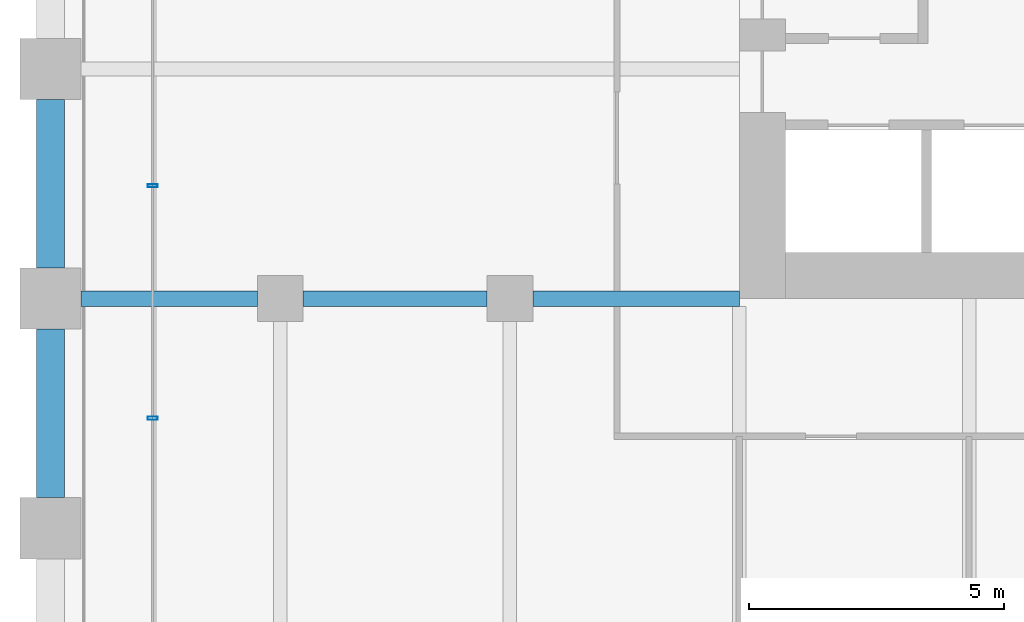
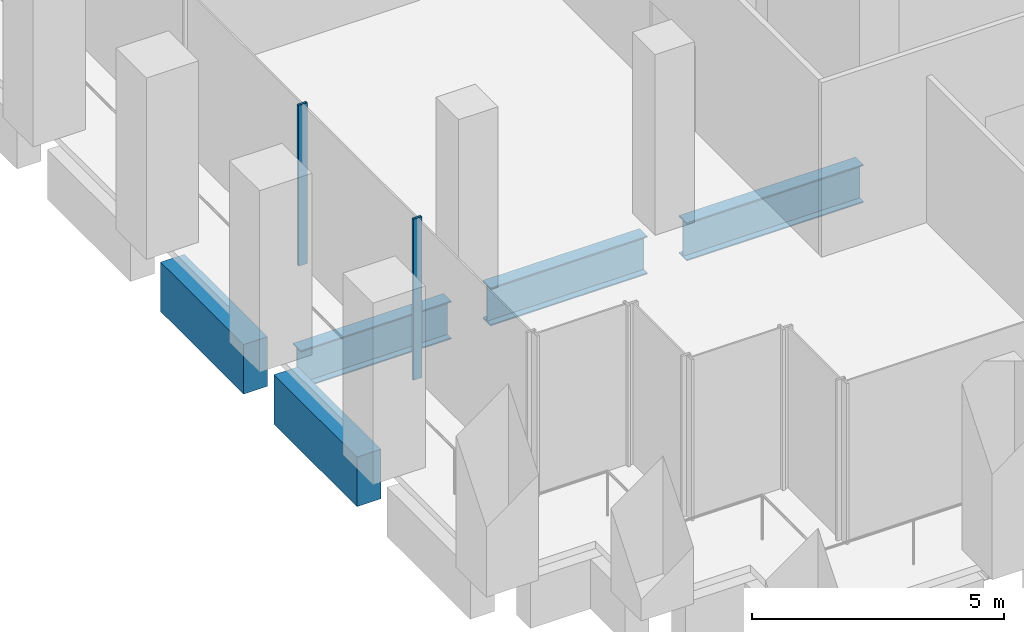
# One storey, part 4 of 36: 5 beams, 2 members, 1 element without a shape of its own.
"""IFC4 building model written with IfcOpenShell, lengths in metres."""

import ifcopenshell
import ifcopenshell.guid

model = None  # the IFC model being written
_history = None  # IfcOwnerHistory: only IFC2X3 demands one
_inside = {}  # id of a spatial element -> (the spatial element, [elements in it])
_under = {}  # id of a project, library or spatial element -> (it, [spatial elements below it])
_declared = {}  # id of a project -> (the project, [libraries it declares])
_typed = {}  # id of a type object -> (the type object, [elements of that type])
_made_of = {}  # id of a material, layer set ... -> (it, [elements and type objects made of it])


def new_model(schema):
    """Start an empty IFC model of exactly this schema.

    Asked for "IFC4X3", IfcOpenShell would pick the latest addendum, in which some entities
    have other attributes; the version numbers below select the first issue.
    IFC2X3 requires an IfcOwnerHistory on every rooted entity: one is made here for all.
    """
    global model, _history
    if schema == "IFC4X3":
        model = ifcopenshell.file(schema_version=(4, 3, 0, 0))
    else:
        model = ifcopenshell.file(schema=schema)
    _inside.clear()
    _under.clear()
    _declared.clear()
    _typed.clear()
    _made_of.clear()
    _history = None
    if model.schema == "IFC2X3":
        org = make("IfcOrganization", Name="unknown")
        user = make(
            "IfcPersonAndOrganization",
            ThePerson=make("IfcPerson", FamilyName="unknown"),
            TheOrganization=org,
        )
        app = make(
            "IfcApplication",
            ApplicationDeveloper=org,
            Version="unknown",
            ApplicationFullName="unknown",
            ApplicationIdentifier="unknown",
        )
        _history = make(
            "IfcOwnerHistory",
            OwningUser=user,
            OwningApplication=app,
            ChangeAction="ADDED",
            CreationDate=0,
        )
    return model


def make(cls, **values):
    """One entity of the class cls with the attributes given. An attribute that is None is left unset."""
    return model.create_entity(
        cls, **{name: value for name, value in values.items() if value is not None}
    )


def rooted(cls, **values):
    """An entity with a GlobalId (a new one), such as an element, a storey or a relation."""
    return make(cls, GlobalId=ifcopenshell.guid.new(), OwnerHistory=_history, **values)


def si_unit(unit_type, name, prefix=None):
    """IfcSIUnit, for example si_unit("LENGTHUNIT", "METRE", prefix="MILLI")."""
    return make("IfcSIUnit", UnitType=unit_type, Prefix=prefix, Name=name)


def assignment(units):
    """IfcUnitAssignment: the units of a project."""
    return None if units is None else make("IfcUnitAssignment", Units=units)


def point(xyz):
    """IfcCartesianPoint."""
    return None if xyz is None else make("IfcCartesianPoint", Coordinates=xyz)


def direction(xyz):
    """IfcDirection."""
    return None if xyz is None else make("IfcDirection", DirectionRatios=xyz)


def frame(location, z_axis=None, x_axis=None):
    """IfcAxis2Placement3D, a coordinate frame: its origin and axes. An axis left out is left unset."""
    return make(
        "IfcAxis2Placement3D",
        Location=point(location),
        Axis=direction(z_axis),
        RefDirection=direction(x_axis),
    )


def frame_2d(location, x_axis=None):
    """IfcAxis2Placement2D, a coordinate frame in the plane: its origin and x axis."""
    return make(
        "IfcAxis2Placement2D", Location=point(location), RefDirection=direction(x_axis)
    )


def origin():
    """The frame at (0, 0, 0) with its axes left unset."""
    return frame((0.0, 0.0, 0.0))


def origin_2d():
    """The frame at (0, 0) in the plane with its x axis left unset."""
    return frame_2d((0.0, 0.0))


def place(relative_to, where):
    """IfcLocalPlacement: puts the frame where relative to a parent placement (None: the world)."""
    return make(
        "IfcLocalPlacement", PlacementRelTo=relative_to, RelativePlacement=where
    )


def context(
    kind, dimensions, precision=None, world=None, true_north=None, identifier=None
):
    """IfcGeometricRepresentationContext, for example the 3D "Model" context."""
    return make(
        "IfcGeometricRepresentationContext",
        ContextIdentifier=identifier,
        ContextType=kind,
        CoordinateSpaceDimension=dimensions,
        Precision=precision,
        WorldCoordinateSystem=world,
        TrueNorth=true_north,
    )


def subcontext(parent, identifier, kind, view, scale=None):
    """IfcGeometricRepresentationSubContext, for example "Body" below "Model"."""
    return make(
        "IfcGeometricRepresentationSubContext",
        ContextIdentifier=identifier,
        ContextType=kind,
        ParentContext=parent,
        TargetScale=scale,
        TargetView=view,
    )


def project(units=None, contexts=None):
    """IfcProject with its units and contexts."""
    return rooted(
        "IfcProject",
        Name="project",
        RepresentationContexts=contexts,
        UnitsInContext=assignment(units),
    )


def spatial(cls, under=None, at=None, **own):
    """A site, building, storey or space (cls), placed at a placement, below another one or the project."""
    s = rooted(cls, ObjectPlacement=at, **own)
    if under is not None:
        _under.setdefault(under.id(), (under, []))[1].append(s)
    return s


def profile(cls, at=None, kind="AREA", **sizes):
    """A parametric profile (cls). Its sizes go by their IFC names, for example OverallWidth=200.0."""
    return make(cls, ProfileType=kind, Position=at, **sizes)


def rectangle(**sizes):
    """IfcRectangleProfileDef."""
    return profile("IfcRectangleProfileDef", **sizes)


def hollow_rectangle(**sizes):
    """IfcRectangleHollowProfileDef."""
    return profile("IfcRectangleHollowProfileDef", **sizes)


def i_section(**sizes):
    """IfcIShapeProfileDef."""
    return profile("IfcIShapeProfileDef", **sizes)


def extrude(swept, where, along, depth):
    """IfcExtrudedAreaSolid: the profile swept, set in the frame where, extruded along a direction by depth."""
    return make(
        "IfcExtrudedAreaSolid",
        SweptArea=swept,
        Position=where,
        ExtrudedDirection=direction(along),
        Depth=depth,
    )


def shape(context_of_items, identifier, shape_type, items):
    """IfcShapeRepresentation: the items that make up one representation, for example the "Body"."""
    return make(
        "IfcShapeRepresentation",
        ContextOfItems=context_of_items,
        RepresentationIdentifier=identifier,
        RepresentationType=shape_type,
        Items=items,
    )


def material(Name=None, Category=None):
    """IfcMaterial."""
    return make("IfcMaterial", Name=Name, Category=Category)


def material_profile(
    of_material, cross_section, Name=None, Category=None, Priority=None
):
    """IfcMaterialProfile: a cross section and its material."""
    return make(
        "IfcMaterialProfile",
        Name=Name,
        Material=of_material,
        Profile=cross_section,
        Priority=Priority,
        Category=Category,
    )


def profile_set(profiles, Name=None, composite=None):
    """IfcMaterialProfileSet."""
    return make(
        "IfcMaterialProfileSet",
        Name=Name,
        MaterialProfiles=profiles,
        CompositeProfile=composite,
    )


def made_of(thing, what):
    """Note that an element or type object is made of a material, layer set ...; save() writes the relation."""
    if what is not None:
        _made_of.setdefault(what.id(), (what, []))[1].append(thing)
    return thing


def type_object(cls, material=None, **own):
    """A type object (cls), such as IfcWallType, which elements share."""
    return made_of(rooted(cls, **own), material)


def element(
    cls,
    number,
    at=None,
    inside=None,
    cuts=None,
    type_object=None,
    material=None,
    context=None,
    identifier="Body",
    shape_type=None,
    held_by="IfcProductDefinitionShape",
    body=None,
    shapes=None,
    **own,
):
    """One element of the class cls, such as IfcWall. Its Tag is "e" and its number.

    at: its placement. inside: the storey or other place that contains it. cuts: it is an
    opening in that element (IfcRelVoidsElement). A single representation is given by context,
    identifier, shape_type and body (its items); several are given by shapes. held_by: the class
    of the entity that holds the representations. save() writes the other relations.
    """
    e = rooted(cls, Tag="e%d" % number, ObjectPlacement=at, **own)
    if body is not None:
        shapes = [shape(context, identifier, shape_type, body)]
    if shapes is not None:
        e.Representation = make(held_by, Representations=shapes)
    if inside is not None:
        _inside.setdefault(inside.id(), (inside, []))[1].append(e)
    if cuts is not None:
        rooted(
            "IfcRelVoidsElement", RelatingBuildingElement=cuts, RelatedOpeningElement=e
        )
    if type_object is not None:
        _typed.setdefault(type_object.id(), (type_object, []))[1].append(e)
    return made_of(e, material)


def aggregate(whole, parts):
    """IfcRelAggregates: a whole, such as a stair, and the parts it consists of."""
    return rooted("IfcRelAggregates", RelatingObject=whole, RelatedObjects=parts)


def save(model, path):
    """Write the relations noted so far, then the file.

    IfcRelAggregates (storeys below a building ...), IfcRelContainedInSpatialStructure (elements
    in a storey), IfcRelDefinesByType, IfcRelAssociatesMaterial and IfcRelDeclares: one each for
    every whole, place, type object, material and project.
    """
    for whole, parts in _under.values():
        aggregate(whole, parts)
    for where, things in _inside.values():
        rooted(
            "IfcRelContainedInSpatialStructure",
            RelatedElements=things,
            RelatingStructure=where,
        )
    for kind, things in _typed.values():
        rooted("IfcRelDefinesByType", RelatedObjects=things, RelatingType=kind)
    for what, things in _made_of.values():
        rooted("IfcRelAssociatesMaterial", RelatedObjects=things, RelatingMaterial=what)
    for by, libraries in _declared.values():
        rooted("IfcRelDeclares", RelatingContext=by, RelatedDefinitions=libraries)
    model.write(path)


model = new_model("IFC4")

# Units and contexts
model_context = context("Model", 3, precision=1e-05, world=origin(), true_north=direction((0.0, 1.0)))
body_context = subcontext(model_context, "Body", "Model", "MODEL_VIEW")
ifc_project = project(units=[si_unit("LENGTHUNIT", "METRE"), si_unit("AREAUNIT", "SQUARE_METRE"), si_unit("VOLUMEUNIT", "CUBIC_METRE"), si_unit("PLANEANGLEUNIT", "RADIAN"), si_unit("MASSUNIT", "GRAM", prefix="KILO")], contexts=[model_context])

# Site, building, storey
site_placement = place(None, origin())
site = spatial("IfcSite", under=ifc_project, at=site_placement, CompositionType="ELEMENT")
building_placement = place(site_placement, origin())
building = spatial("IfcBuilding", under=site, at=building_placement, Name="Altepetl Exchange Towers", CompositionType="ELEMENT")
storey_placement = place(building_placement, frame((0.0, 0.0, 43.0)))
storey = spatial("IfcBuildingStorey", under=building, at=storey_placement, Name="L09", CompositionType="ELEMENT", Elevation=43.0)

# Beams
ifc_material_1 = material(Name="Steel S355", Category="steel")
ifc_material_profile_1 = material_profile(ifc_material_1, i_section(OverallWidth=0.306884765625, OverallDepth=0.923095703125, WebThickness=0.018310546875, FlangeThickness=0.030029296875, at=origin_2d()), Name="W36X182")
ifc_profile_set_1 = profile_set([ifc_material_profile_1], Name="Steel S355")
beam_type_1 = type_object("IfcBeamType", Name="Girder W36X182", PredefinedType="BEAM", material=ifc_profile_set_1)
beam_1_placement = place(storey_placement, frame((40.5, 40.5, -0.636474609375), z_axis=(-1.0, 0.0, 0.0), x_axis=(0.0, -1.0, 0.0)))
element("IfcBeam", 1, at=beam_1_placement, inside=storey, type_object=beam_type_1, Name="gd:A:L09:009", PredefinedType="BEAM", context=body_context, shape_type="SweptSolid", body=[
    extrude(i_section(OverallWidth=0.306884765625, OverallDepth=0.923095703125, WebThickness=0.018310546875, FlangeThickness=0.030029296875, at=origin_2d()), origin(), (0.0, 0.0, 1.0), 4.050048828125),
])
beam_2_placement = place(storey_placement, frame((35.550048828125, 40.5, -0.636474609375), z_axis=(-1.0, 0.0, 0.0), x_axis=(0.0, -1.0, 0.0)))
element("IfcBeam", 2, at=beam_2_placement, inside=storey, type_object=beam_type_1, Name="gd:A:L09:010", PredefinedType="BEAM", context=body_context, shape_type="SweptSolid", body=[
    extrude(i_section(OverallWidth=0.306884765625, OverallDepth=0.923095703125, WebThickness=0.018310546875, FlangeThickness=0.030029296875, at=origin_2d()), origin(), (0.0, 0.0, 1.0), 3.60009765625),
])
beam_3_placement = place(storey_placement, frame((31.050048828125, 40.5, -0.636474609375), z_axis=(-1.0, 0.0, 0.0), x_axis=(0.0, -1.0, 0.0)))
element("IfcBeam", 3, at=beam_3_placement, inside=storey, type_object=beam_type_1, Name="gd:A:L09:011", PredefinedType="BEAM", context=body_context, shape_type="SweptSolid", body=[
    extrude(i_section(OverallWidth=0.306884765625, OverallDepth=0.923095703125, WebThickness=0.018310546875, FlangeThickness=0.030029296875, at=origin_2d()), origin(), (0.0, 0.0, 1.0), 3.449951171875),
])

# Curtain wall, members
ifc_material_2 = material(Name="Aluminium 6063-T6 glazing", Category="aluminium")
curtain_wall_type = type_object("IfcCurtainWallType", Name="Trading floor glazing system", PredefinedType="NOTDEFINED", material=ifc_material_2)
curtain_wall_placement = place(storey_placement, origin())
curtain_wall = element("IfcCurtainWall", 4, at=curtain_wall_placement, inside=storey, type_object=curtain_wall_type, Name="CW2 run", PredefinedType="NOTDEFINED")
ifc_material_3 = material(Name="Aluminium 6063-T6", Category="aluminium")
ifc_material_profile_2 = material_profile(ifc_material_3, hollow_rectangle(XDim=0.06005859375, YDim=0.199951171875, WallThickness=0.0029296875, at=origin_2d()), Name="Mullion 60x200 aluminium")
ifc_profile_set_2 = profile_set([ifc_material_profile_2], Name="Aluminium 6063-T6")
member_type = type_object("IfcMemberType", Name="Mullion 60x200 aluminium", PredefinedType="MULLION", material=ifc_profile_set_2)
member_1_placement = place(storey_placement, frame((29.0, 42.71435546875, 0.0), z_axis=(0.0, 0.0, 1.0), x_axis=(0.0, -1.0, 0.0)))
member_1 = element("IfcMember", 5, at=member_1_placement, type_object=member_type, Name="MU2 mullion", PredefinedType="MULLION", context=body_context, shape_type="SweptSolid", body=[
    extrude(hollow_rectangle(XDim=0.06005859375, YDim=0.199951171875, WallThickness=0.0029296875, at=origin_2d()), origin(), (0.0, 0.0, 1.0), 3.89990234375),
])
member_2_placement = place(storey_placement, frame((29.0, 38.1572265625, 0.0), z_axis=(0.0, 0.0, 1.0), x_axis=(0.0, -1.0, 0.0)))
member_2 = element("IfcMember", 6, at=member_2_placement, type_object=member_type, Name="MU2 mullion", PredefinedType="MULLION", context=body_context, shape_type="SweptSolid", body=[
    extrude(hollow_rectangle(XDim=0.06005859375, YDim=0.199951171875, WallThickness=0.0029296875, at=origin_2d()), origin(), (0.0, 0.0, 1.0), 3.89990234375),
])
aggregate(curtain_wall, [member_1, member_2])

# Beams
ifc_material_4 = material(Name="Concrete C50/60 precast with cantera blanca facing", Category="concrete")
ifc_material_profile_3 = material_profile(ifc_material_4, rectangle(XDim=0.550048828125, YDim=1.199951171875, at=origin_2d()), Name="550 x 1200")
ifc_profile_set_3 = profile_set([ifc_material_profile_3], Name="Concrete C50/60 precast with cantera blanca facing")
beam_type_2 = type_object("IfcBeamType", Name="Spandrel beam 550x1200 cantera blanca", PredefinedType="SPANDREL", material=ifc_profile_set_3)
beam_4_placement = place(storey_placement, frame((27.0, 39.89990234375, -0.77490234375), z_axis=(0.0, -1.0, 0.0), x_axis=(1.0, 0.0, 0.0)))
element("IfcBeam", 7, at=beam_4_placement, inside=storey, type_object=beam_type_2, Name="sp:A:L09:042", PredefinedType="SPANDREL", context=body_context, shape_type="SweptSolid", body=[
    extrude(rectangle(XDim=0.550048828125, YDim=1.199951171875, at=origin_2d()), origin(), (0.0, 0.0, 1.0), 3.2998046875),
])
ifc_material_5 = material(Name="Concrete C50/60 precast with tezontle facing", Category="concrete")
ifc_material_profile_4 = material_profile(ifc_material_5, rectangle(XDim=0.550048828125, YDim=1.199951171875, at=origin_2d()), Name="550 x 1200")
ifc_profile_set_4 = profile_set([ifc_material_profile_4], Name="Concrete C50/60 precast with tezontle facing")
beam_type_3 = type_object("IfcBeamType", Name="Spandrel beam 550x1200 tezontle", PredefinedType="SPANDREL", material=ifc_profile_set_4)
beam_5_placement = place(storey_placement, frame((27.0, 44.39990234375, -0.77490234375), z_axis=(0.0, -1.0, 0.0), x_axis=(1.0, 0.0, 0.0)))
element("IfcBeam", 8, at=beam_5_placement, inside=storey, type_object=beam_type_3, Name="sp:A:L09:041", PredefinedType="SPANDREL", context=body_context, shape_type="SweptSolid", body=[
    extrude(rectangle(XDim=0.550048828125, YDim=1.199951171875, at=origin_2d()), origin(), (0.0, 0.0, 1.0), 3.2998046875),
])

save(model, "model.ifc")
